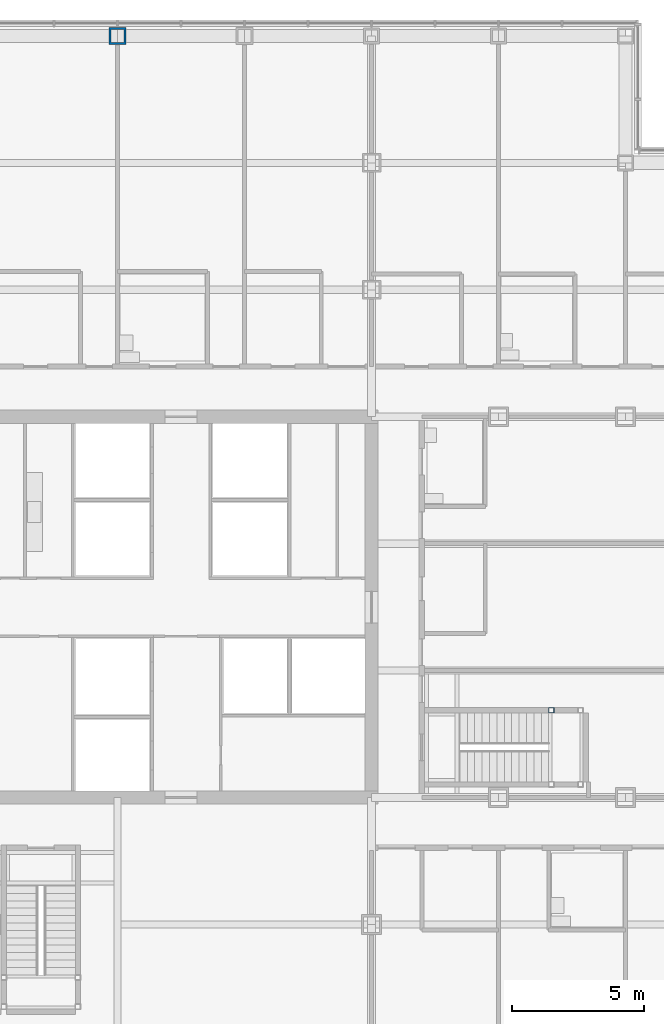
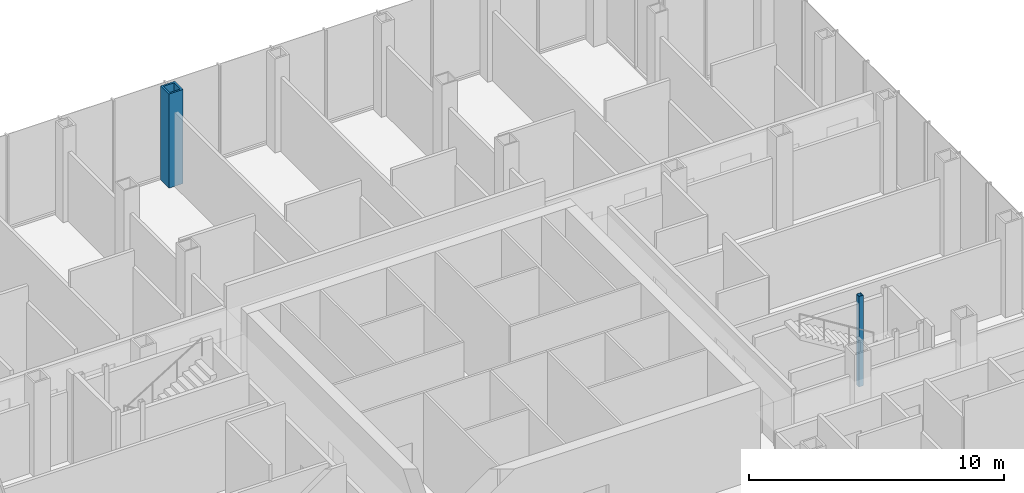
# One storey, part 8 of 28: 2 columns.
"""IFC4 building model written with IfcOpenShell, lengths in metres."""

from ifc_helpers import new_model, si_unit, direction, frame, origin, origin_2d, place, context, subcontext, project, spatial, hollow_rectangle, extrude, material, material_profile, profile_set, type_object, element, save


model = new_model("IFC4")

# Units and contexts
model_context = context("Model", 3, precision=1e-05, world=origin(), true_north=direction((0.0, 1.0)))
body_context = subcontext(model_context, "Body", "Model", "MODEL_VIEW")
ifc_project = project(units=[si_unit("LENGTHUNIT", "METRE"), si_unit("AREAUNIT", "SQUARE_METRE"), si_unit("VOLUMEUNIT", "CUBIC_METRE"), si_unit("PLANEANGLEUNIT", "RADIAN"), si_unit("MASSUNIT", "GRAM", prefix="KILO")], contexts=[model_context])

# Site, building, storey
site_placement = place(None, origin())
site = spatial("IfcSite", under=ifc_project, at=site_placement, CompositionType="ELEMENT")
building_placement = place(site_placement, origin())
building = spatial("IfcBuilding", under=site, at=building_placement, Name="Kvirike Care Tower", CompositionType="ELEMENT")
storey_placement = place(building_placement, frame((0.0, 0.0, 4.5)))
storey = spatial("IfcBuildingStorey", under=building, at=storey_placement, Name="L01", CompositionType="ELEMENT", Elevation=4.5)

# Columns
ifc_material_1 = material(Name="Steel S460", Category="steel")
ifc_material_profile_1 = material_profile(ifc_material_1, hollow_rectangle(XDim=0.64990234375, YDim=0.64990234375, WallThickness=0.080078125, at=origin_2d()), Name="BX 650x650x80")
ifc_profile_set_1 = profile_set([ifc_material_profile_1], Name="Steel S460")
column_type_1 = type_object("IfcColumnType", Name="COLUMN BX 650x650x80", PredefinedType="COLUMN", material=ifc_profile_set_1)
column_1_placement = place(storey_placement, frame((19.199951171875, 57.60009765625, 0.0), z_axis=(0.0, 0.0, 1.0), x_axis=(0.0, 1.0, 0.0)))
element("IfcColumn", 1, at=column_1_placement, inside=storey, type_object=column_type_1, Name="Column N7 L01", PredefinedType="COLUMN", context=body_context, shape_type="SweptSolid", body=[
    extrude(hollow_rectangle(XDim=0.64990234375, YDim=0.64990234375, WallThickness=0.080078125, at=origin_2d()), origin(), (0.0, 0.0, 1.0), 4.5),
])
ifc_material_2 = material(Name="Steel S460", Category="steel")
ifc_material_profile_2 = material_profile(ifc_material_2, hollow_rectangle(XDim=0.199951171875, YDim=0.199951171875, WallThickness=0.008056640625, at=origin_2d()), Name="SHS 200x200x8")
ifc_profile_set_2 = profile_set([ifc_material_profile_2], Name="Steel S460")
column_type_2 = type_object("IfcColumnType", Name="STAIR POST SHS 200x200x8", PredefinedType="COLUMN", material=ifc_profile_set_2)
column_2_placement = place(storey_placement, frame((35.60009765625, 32.10009765625, 0.0), z_axis=(0.0, 0.0, 1.0), x_axis=(1.0, 0.0, 0.0)))
element("IfcColumn", 2, at=column_2_placement, inside=storey, type_object=column_type_2, Name="Stair 2 post 4 L01", PredefinedType="COLUMN", context=body_context, shape_type="SweptSolid", body=[
    extrude(hollow_rectangle(XDim=0.199951171875, YDim=0.199951171875, WallThickness=0.008056640625, at=origin_2d()), origin(), (0.0, 0.0, 1.0), 4.330078125),
])

save(model, "model.ifc")
